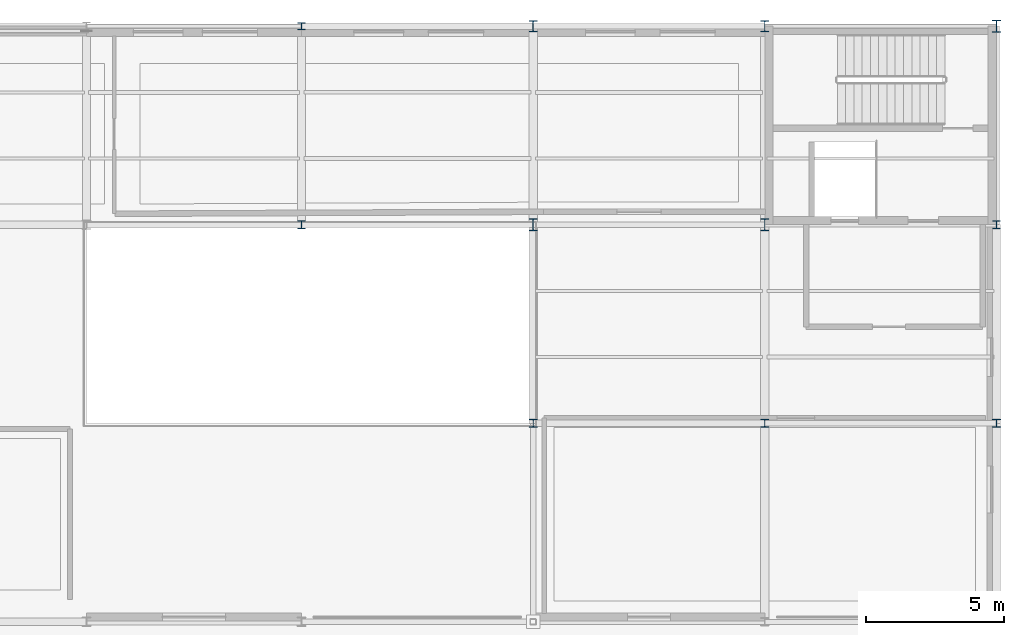
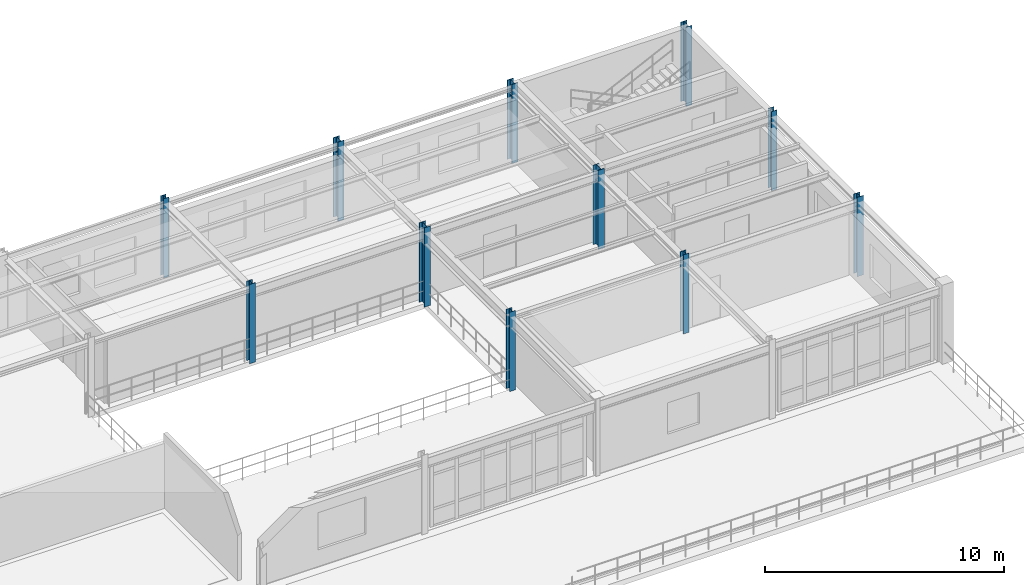
# One storey, part 13 of 58: 11 columns.
"""IFC4 building model written with IfcOpenShell, lengths in metres."""

import ifcopenshell
import ifcopenshell.guid

model = None  # the IFC model being written
_history = None  # IfcOwnerHistory: only IFC2X3 demands one
_inside = {}  # id of a spatial element -> (the spatial element, [elements in it])
_under = {}  # id of a project, library or spatial element -> (it, [spatial elements below it])
_declared = {}  # id of a project -> (the project, [libraries it declares])
_typed = {}  # id of a type object -> (the type object, [elements of that type])
_made_of = {}  # id of a material, layer set ... -> (it, [elements and type objects made of it])


def new_model(schema):
    """Start an empty IFC model of exactly this schema.

    Asked for "IFC4X3", IfcOpenShell would pick the latest addendum, in which some entities
    have other attributes; the version numbers below select the first issue.
    IFC2X3 requires an IfcOwnerHistory on every rooted entity: one is made here for all.
    """
    global model, _history
    if schema == "IFC4X3":
        model = ifcopenshell.file(schema_version=(4, 3, 0, 0))
    else:
        model = ifcopenshell.file(schema=schema)
    _inside.clear()
    _under.clear()
    _declared.clear()
    _typed.clear()
    _made_of.clear()
    _history = None
    if model.schema == "IFC2X3":
        org = make("IfcOrganization", Name="unknown")
        user = make(
            "IfcPersonAndOrganization",
            ThePerson=make("IfcPerson", FamilyName="unknown"),
            TheOrganization=org,
        )
        app = make(
            "IfcApplication",
            ApplicationDeveloper=org,
            Version="unknown",
            ApplicationFullName="unknown",
            ApplicationIdentifier="unknown",
        )
        _history = make(
            "IfcOwnerHistory",
            OwningUser=user,
            OwningApplication=app,
            ChangeAction="ADDED",
            CreationDate=0,
        )
    return model


def make(cls, **values):
    """One entity of the class cls with the attributes given. An attribute that is None is left unset."""
    return model.create_entity(
        cls, **{name: value for name, value in values.items() if value is not None}
    )


def rooted(cls, **values):
    """An entity with a GlobalId (a new one), such as an element, a storey or a relation."""
    return make(cls, GlobalId=ifcopenshell.guid.new(), OwnerHistory=_history, **values)


def si_unit(unit_type, name, prefix=None):
    """IfcSIUnit, for example si_unit("LENGTHUNIT", "METRE", prefix="MILLI")."""
    return make("IfcSIUnit", UnitType=unit_type, Prefix=prefix, Name=name)


def derived_unit(unit_type, elements):
    """IfcDerivedUnit: a product of units, each with its exponent."""
    return make(
        "IfcDerivedUnit",
        Elements=[
            make("IfcDerivedUnitElement", Unit=unit, Exponent=power)
            for unit, power in elements
        ],
        UnitType=unit_type,
    )


def assignment(units):
    """IfcUnitAssignment: the units of a project."""
    return None if units is None else make("IfcUnitAssignment", Units=units)


def point(xyz):
    """IfcCartesianPoint."""
    return None if xyz is None else make("IfcCartesianPoint", Coordinates=xyz)


def direction(xyz):
    """IfcDirection."""
    return None if xyz is None else make("IfcDirection", DirectionRatios=xyz)


def frame(location, z_axis=None, x_axis=None):
    """IfcAxis2Placement3D, a coordinate frame: its origin and axes. An axis left out is left unset."""
    return make(
        "IfcAxis2Placement3D",
        Location=point(location),
        Axis=direction(z_axis),
        RefDirection=direction(x_axis),
    )


def frame_2d(location, x_axis=None):
    """IfcAxis2Placement2D, a coordinate frame in the plane: its origin and x axis."""
    return make(
        "IfcAxis2Placement2D", Location=point(location), RefDirection=direction(x_axis)
    )


def origin():
    """The frame at (0, 0, 0) with its axes left unset."""
    return frame((0.0, 0.0, 0.0))


def origin_2d():
    """The frame at (0, 0) in the plane with its x axis left unset."""
    return frame_2d((0.0, 0.0))


def place(relative_to, where):
    """IfcLocalPlacement: puts the frame where relative to a parent placement (None: the world)."""
    return make(
        "IfcLocalPlacement", PlacementRelTo=relative_to, RelativePlacement=where
    )


def context(
    kind, dimensions, precision=None, world=None, true_north=None, identifier=None
):
    """IfcGeometricRepresentationContext, for example the 3D "Model" context."""
    return make(
        "IfcGeometricRepresentationContext",
        ContextIdentifier=identifier,
        ContextType=kind,
        CoordinateSpaceDimension=dimensions,
        Precision=precision,
        WorldCoordinateSystem=world,
        TrueNorth=true_north,
    )


def subcontext(parent, identifier, kind, view, scale=None):
    """IfcGeometricRepresentationSubContext, for example "Body" below "Model"."""
    return make(
        "IfcGeometricRepresentationSubContext",
        ContextIdentifier=identifier,
        ContextType=kind,
        ParentContext=parent,
        TargetScale=scale,
        TargetView=view,
    )


def project(units=None, contexts=None):
    """IfcProject with its units and contexts."""
    return rooted(
        "IfcProject",
        Name="project",
        RepresentationContexts=contexts,
        UnitsInContext=assignment(units),
    )


def spatial(cls, under=None, at=None, **own):
    """A site, building, storey or space (cls), placed at a placement, below another one or the project."""
    s = rooted(cls, ObjectPlacement=at, **own)
    if under is not None:
        _under.setdefault(under.id(), (under, []))[1].append(s)
    return s


def profile(cls, at=None, kind="AREA", **sizes):
    """A parametric profile (cls). Its sizes go by their IFC names, for example OverallWidth=200.0."""
    return make(cls, ProfileType=kind, Position=at, **sizes)


def i_section(**sizes):
    """IfcIShapeProfileDef."""
    return profile("IfcIShapeProfileDef", **sizes)


def extrude(swept, where, along, depth):
    """IfcExtrudedAreaSolid: the profile swept, set in the frame where, extruded along a direction by depth."""
    return make(
        "IfcExtrudedAreaSolid",
        SweptArea=swept,
        Position=where,
        ExtrudedDirection=direction(along),
        Depth=depth,
    )


def shape(context_of_items, identifier, shape_type, items):
    """IfcShapeRepresentation: the items that make up one representation, for example the "Body"."""
    return make(
        "IfcShapeRepresentation",
        ContextOfItems=context_of_items,
        RepresentationIdentifier=identifier,
        RepresentationType=shape_type,
        Items=items,
    )


def material(Name=None, Category=None):
    """IfcMaterial."""
    return make("IfcMaterial", Name=Name, Category=Category)


def material_profile(
    of_material, cross_section, Name=None, Category=None, Priority=None
):
    """IfcMaterialProfile: a cross section and its material."""
    return make(
        "IfcMaterialProfile",
        Name=Name,
        Material=of_material,
        Profile=cross_section,
        Priority=Priority,
        Category=Category,
    )


def profile_set(profiles, Name=None, composite=None):
    """IfcMaterialProfileSet."""
    return make(
        "IfcMaterialProfileSet",
        Name=Name,
        MaterialProfiles=profiles,
        CompositeProfile=composite,
    )


def made_of(thing, what):
    """Note that an element or type object is made of a material, layer set ...; save() writes the relation."""
    if what is not None:
        _made_of.setdefault(what.id(), (what, []))[1].append(thing)
    return thing


def type_object(cls, material=None, **own):
    """A type object (cls), such as IfcWallType, which elements share."""
    return made_of(rooted(cls, **own), material)


def element(
    cls,
    number,
    at=None,
    inside=None,
    cuts=None,
    type_object=None,
    material=None,
    context=None,
    identifier="Body",
    shape_type=None,
    held_by="IfcProductDefinitionShape",
    body=None,
    shapes=None,
    **own,
):
    """One element of the class cls, such as IfcWall. Its Tag is "e" and its number.

    at: its placement. inside: the storey or other place that contains it. cuts: it is an
    opening in that element (IfcRelVoidsElement). A single representation is given by context,
    identifier, shape_type and body (its items); several are given by shapes. held_by: the class
    of the entity that holds the representations. save() writes the other relations.
    """
    e = rooted(cls, Tag="e%d" % number, ObjectPlacement=at, **own)
    if body is not None:
        shapes = [shape(context, identifier, shape_type, body)]
    if shapes is not None:
        e.Representation = make(held_by, Representations=shapes)
    if inside is not None:
        _inside.setdefault(inside.id(), (inside, []))[1].append(e)
    if cuts is not None:
        rooted(
            "IfcRelVoidsElement", RelatingBuildingElement=cuts, RelatedOpeningElement=e
        )
    if type_object is not None:
        _typed.setdefault(type_object.id(), (type_object, []))[1].append(e)
    return made_of(e, material)


def aggregate(whole, parts):
    """IfcRelAggregates: a whole, such as a stair, and the parts it consists of."""
    return rooted("IfcRelAggregates", RelatingObject=whole, RelatedObjects=parts)


def save(model, path):
    """Write the relations noted so far, then the file.

    IfcRelAggregates (storeys below a building ...), IfcRelContainedInSpatialStructure (elements
    in a storey), IfcRelDefinesByType, IfcRelAssociatesMaterial and IfcRelDeclares: one each for
    every whole, place, type object, material and project.
    """
    for whole, parts in _under.values():
        aggregate(whole, parts)
    for where, things in _inside.values():
        rooted(
            "IfcRelContainedInSpatialStructure",
            RelatedElements=things,
            RelatingStructure=where,
        )
    for kind, things in _typed.values():
        rooted("IfcRelDefinesByType", RelatedObjects=things, RelatingType=kind)
    for what, things in _made_of.values():
        rooted("IfcRelAssociatesMaterial", RelatedObjects=things, RelatingMaterial=what)
    for by, libraries in _declared.values():
        rooted("IfcRelDeclares", RelatingContext=by, RelatedDefinitions=libraries)
    model.write(path)


model = new_model("IFC4")

# Units and contexts
model_context = context("Model", 3, precision=1e-05, world=origin(), true_north=direction((0.0, 1.0)))
body_context = subcontext(model_context, "Body", "Model", "MODEL_VIEW")
ifc_project = project(units=[si_unit("LENGTHUNIT", "METRE"), si_unit("AREAUNIT", "SQUARE_METRE"), si_unit("VOLUMEUNIT", "CUBIC_METRE"), si_unit("PLANEANGLEUNIT", "RADIAN"), si_unit("MASSUNIT", "GRAM", prefix="KILO"), derived_unit("THERMALTRANSMITTANCEUNIT", [(si_unit("POWERUNIT", "WATT"), 1), (si_unit("AREAUNIT", "SQUARE_METRE"), -1), (si_unit("THERMODYNAMICTEMPERATUREUNIT", "KELVIN"), -1)])], contexts=[model_context])

# Site, building, storey
site_placement = place(None, origin())
site = spatial("IfcSite", under=ifc_project, at=site_placement, CompositionType="ELEMENT")
building_placement = place(site_placement, origin())
building = spatial("IfcBuilding", under=site, at=building_placement, Name="Yasenodar Specialist Clinic", CompositionType="ELEMENT")
storey_placement = place(building_placement, frame((0.0, 0.0, 17.25)))
storey = spatial("IfcBuildingStorey", under=building, at=storey_placement, Name="L04", CompositionType="ELEMENT", Elevation=17.25)

# Columns
ifc_material = material(Name="Steel S355", Category="steel")
ifc_material_profile_1 = material_profile(ifc_material, i_section(OverallWidth=0.260009765625, OverallDepth=0.260009765625, WebThickness=0.010009765625, FlangeThickness=0.017578125, FilletRadius=0.02392578125, at=origin_2d()), Name="HEB 260")
ifc_profile_set_1 = profile_set([ifc_material_profile_1], Name="Steel S355")
column_type_1 = type_object("IfcColumnType", Name="COL-ST-HEB260", PredefinedType="COLUMN", material=ifc_profile_set_1)
column_1_placement = place(storey_placement, frame((96.60009765625, 111.60009765625, 0.0), z_axis=(0.0, 0.0, 1.0), x_axis=(1.0, 0.0, 0.0)))
element("IfcColumn", 1, at=column_1_placement, inside=storey, type_object=column_type_1, Name="L04 Column V5-116", PredefinedType="COLUMN", context=body_context, shape_type="SweptSolid", body=[
    extrude(i_section(OverallWidth=0.260009765625, OverallDepth=0.260009765625, WebThickness=0.010009765625, FlangeThickness=0.017578125, FilletRadius=0.02392578125, at=origin_2d()), origin(), (0.0, 0.0, 1.0), 4.050048828125),
])
ifc_material_profile_2 = material_profile(ifc_material, i_section(OverallWidth=0.280029296875, OverallDepth=0.280029296875, WebThickness=0.010498046875, FlangeThickness=0.01806640625, FilletRadius=0.02392578125, at=origin_2d()), Name="HEB 280")
ifc_profile_set_2 = profile_set([ifc_material_profile_2], Name="Steel S355")
column_type_2 = type_object("IfcColumnType", Name="COL-ST-HEB280", PredefinedType="COLUMN", material=ifc_profile_set_2)
for number, where, z_axis, x_axis, name in (
    (2, (96.60009765625, 104.39990234375, 0.0), (0.0, 0.0, 1.0), (1.0, 0.0, 0.0), "L04 Column V5-115"),
    (3, (105.0, 97.199951171875, 0.0), (0.0, 0.0, 1.0), (1.0, 0.0, 0.0), "L04 Column V5-124"),
    (4, (113.39990234375, 97.199951171875, 0.0), (0.0, 0.0, 1.0), (1.0, 0.0, 0.0), "L04 Column V5-134"),
    (5, (121.800048828125, 104.39990234375, 0.0), (0.0, 0.0, 1.0), (1.0, 0.0, 0.0), "L04 Column V5-144"),
):
    element("IfcColumn", number, at=place(storey_placement, frame(where, z_axis=z_axis, x_axis=x_axis)), inside=storey, type_object=column_type_2, Name=name, PredefinedType="COLUMN", context=body_context, shape_type="SweptSolid", body=[
        extrude(i_section(OverallWidth=0.280029296875, OverallDepth=0.280029296875, WebThickness=0.010498046875, FlangeThickness=0.01806640625, FilletRadius=0.02392578125, at=origin_2d()), origin(), (0.0, 0.0, 1.0), 4.050048828125),
    ])
ifc_material_profile_3 = material_profile(ifc_material, i_section(OverallWidth=0.300048828125, OverallDepth=0.300048828125, WebThickness=0.010986328125, FlangeThickness=0.01904296875, FilletRadius=0.027099609375, at=origin_2d()), Name="HEB 300")
ifc_profile_set_3 = profile_set([ifc_material_profile_3], Name="Steel S355")
column_type_3 = type_object("IfcColumnType", Name="COL-ST-HEB300", PredefinedType="COLUMN", material=ifc_profile_set_3)
column_2_placement = place(storey_placement, frame((121.800048828125, 97.199951171875, 0.0), z_axis=(0.0, 0.0, 1.0), x_axis=(1.0, 0.0, 0.0)))
element("IfcColumn", 6, at=column_2_placement, inside=storey, type_object=column_type_3, Name="L04 Column V5-143", PredefinedType="COLUMN", context=body_context, shape_type="SweptSolid", body=[
    extrude(i_section(OverallWidth=0.300048828125, OverallDepth=0.300048828125, WebThickness=0.010986328125, FlangeThickness=0.01904296875, FilletRadius=0.027099609375, at=origin_2d()), origin(), (0.0, 0.0, 1.0), 4.050048828125),
])
ifc_material_profile_4 = material_profile(ifc_material, i_section(OverallWidth=0.300048828125, OverallDepth=0.39990234375, WebThickness=0.013427734375, FlangeThickness=0.02392578125, FilletRadius=0.027099609375, at=origin_2d()), Name="HEB 400")
ifc_profile_set_4 = profile_set([ifc_material_profile_4], Name="Steel S355")
column_type_4 = type_object("IfcColumnType", Name="COL-ST-HEB400", PredefinedType="COLUMN", material=ifc_profile_set_4)
for number, where, z_axis, x_axis, name in (
    (7, (105.0, 111.60009765625, 0.0), (0.0, 0.0, 1.0), (1.0, 0.0, 0.0), "L04 Column V5-126"),
    (8, (113.39990234375, 111.60009765625, 0.0), (0.0, 0.0, 1.0), (1.0, 0.0, 0.0), "L04 Column V5-136"),
):
    element("IfcColumn", number, at=place(storey_placement, frame(where, z_axis=z_axis, x_axis=x_axis)), inside=storey, type_object=column_type_4, Name=name, PredefinedType="COLUMN", context=body_context, shape_type="SweptSolid", body=[
        extrude(i_section(OverallWidth=0.300048828125, OverallDepth=0.39990234375, WebThickness=0.013427734375, FlangeThickness=0.02392578125, FilletRadius=0.027099609375, at=origin_2d()), origin(), (0.0, 0.0, 1.0), 4.050048828125),
    ])
ifc_material_profile_5 = material_profile(ifc_material, i_section(OverallWidth=0.300048828125, OverallDepth=0.449951171875, WebThickness=0.013916015625, FlangeThickness=0.02587890625, FilletRadius=0.027099609375, at=origin_2d()), Name="HEB 450")
ifc_profile_set_5 = profile_set([ifc_material_profile_5], Name="Steel S355")
column_type_5 = type_object("IfcColumnType", Name="COL-ST-HEB450", PredefinedType="COLUMN", material=ifc_profile_set_5)
for number, where, z_axis, x_axis, name in (
    (9, (105.0, 104.39990234375, 0.0), (0.0, 0.0, 1.0), (1.0, 0.0, 0.0), "L04 Column V5-125"),
    (10, (113.39990234375, 104.39990234375, 0.0), (0.0, 0.0, 1.0), (1.0, 0.0, 0.0), "L04 Column V5-135"),
    (11, (121.800048828125, 111.60009765625, 0.0), (0.0, 0.0, 1.0), (1.0, 0.0, 0.0), "L04 Column V5-145"),
):
    element("IfcColumn", number, at=place(storey_placement, frame(where, z_axis=z_axis, x_axis=x_axis)), inside=storey, type_object=column_type_5, Name=name, PredefinedType="COLUMN", context=body_context, shape_type="SweptSolid", body=[
        extrude(i_section(OverallWidth=0.300048828125, OverallDepth=0.449951171875, WebThickness=0.013916015625, FlangeThickness=0.02587890625, FilletRadius=0.027099609375, at=origin_2d()), origin(), (0.0, 0.0, 1.0), 4.050048828125),
    ])

save(model, "model.ifc")
